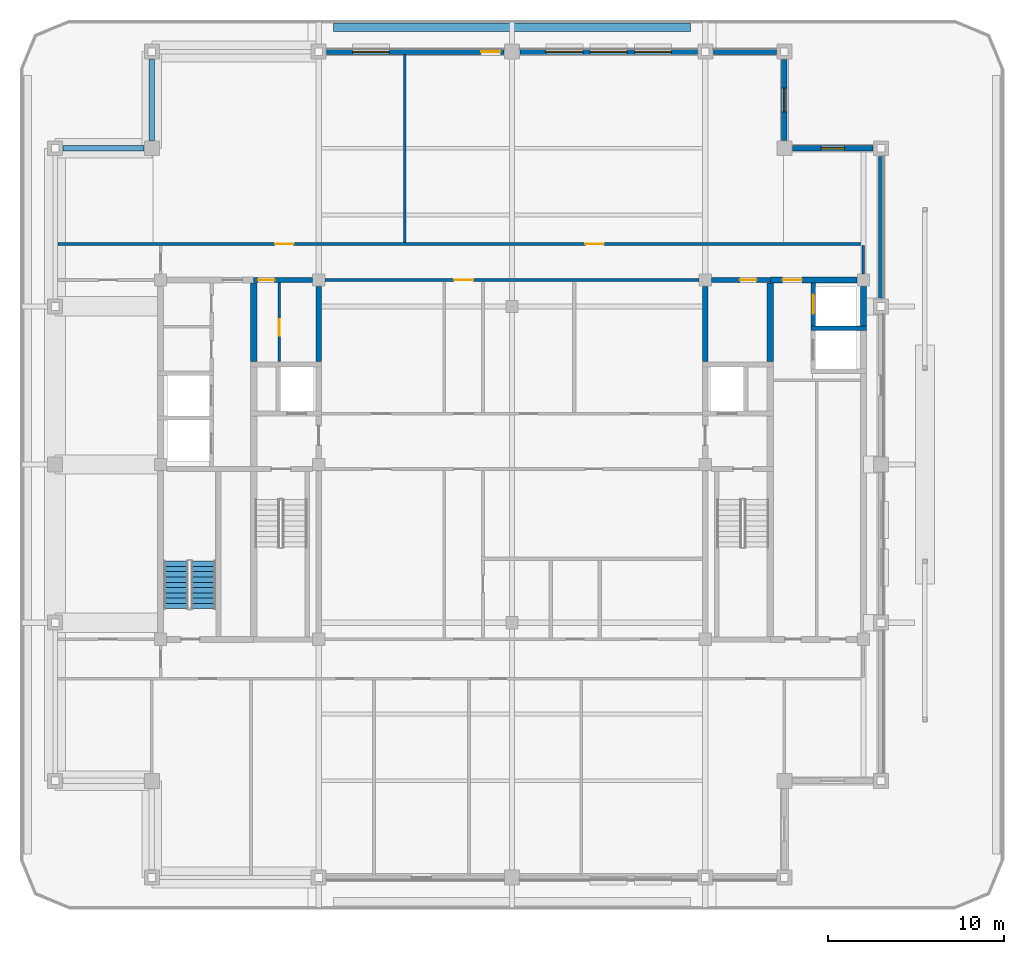
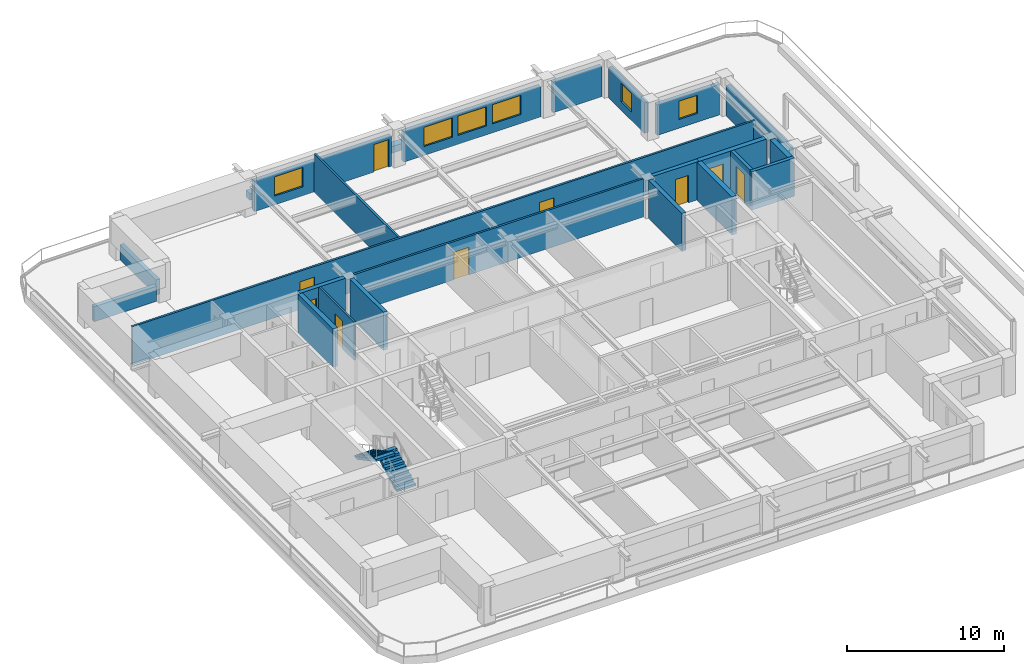
# One storey, part 8 of 14: 24 walls, 9 doors, 6 windows, 2 stair flights, 15 openings, 1 element without a shape of its own.
"""IFC4 building model written with IfcOpenShell, lengths in metres."""

from ifc_helpers import new_model, si_unit, direction, frame, frame_2d, origin, place, context, subcontext, project, spatial, polyline, rectangle, outline, extrude, material, layer, layer_set, type_object, element, fill, aggregate, save


model = new_model("IFC4")

# Units and contexts
model_context = context("Model", 3, precision=1e-05, world=origin(), true_north=direction((0.0, 1.0)))
body_context = subcontext(model_context, "Body", "Model", "MODEL_VIEW")
ifc_project = project(units=[si_unit("LENGTHUNIT", "METRE"), si_unit("AREAUNIT", "SQUARE_METRE"), si_unit("VOLUMEUNIT", "CUBIC_METRE"), si_unit("PLANEANGLEUNIT", "RADIAN"), si_unit("MASSUNIT", "GRAM", prefix="KILO")], contexts=[model_context])

# Site, building, storey
site_placement = place(None, origin())
site = spatial("IfcSite", under=ifc_project, at=site_placement, CompositionType="ELEMENT")
building_placement = place(site_placement, origin())
building = spatial("IfcBuilding", under=site, at=building_placement, Name="Zulmaris Gate Convention Tower", CompositionType="ELEMENT")
storey_placement = place(building_placement, frame((0.0, 0.0, 254.429931640625)))
storey = spatial("IfcBuildingStorey", under=building, at=storey_placement, Name="L67", CompositionType="ELEMENT", Elevation=254.429931640625)

# Wall
ifc_material_1 = material(Name="Concrete C50/60", Category="concrete")
ifc_layer_1 = layer(ifc_material_1, 0.25, Name="Concrete C50/60")
ifc_layer_set_1 = layer_set([ifc_layer_1], Name="Concrete C50/60")
wall_type_1 = type_object("IfcWallType", Name="CORE-250", PredefinedType="SOLIDWALL", material=ifc_layer_set_1)
wall_1_placement = place(storey_placement, frame((17.02490234375, 7.75, 0.0), z_axis=(0.0, 0.0, 1.0), x_axis=(1.0, 0.0, 0.0)))
element("IfcWall", 1, at=wall_1_placement, inside=storey, type_object=wall_type_1, Name="WL-L67-014", PredefinedType="SOLIDWALL", context=body_context, shape_type="SweptSolid", body=[
    extrude(rectangle(XDim=3.150146484375, YDim=0.25, at=frame_2d((1.5751953125, 0.0))), origin(), (0.0, 0.0, 1.0), 2.97998046875),
])

# Wall, opening, door
wall_2_placement = place(storey_placement, frame((17.14990234375, 7.876953125, 0.0), z_axis=(0.0, 0.0, 1.0), x_axis=(0.0, 1.0, 0.0)))
wall_2 = element("IfcWall", 2, at=wall_2_placement, inside=storey, type_object=wall_type_1, Name="WL-L67-058", PredefinedType="SOLIDWALL", context=body_context, shape_type="SweptSolid", body=[
    extrude(rectangle(XDim=2.446044921875, YDim=0.25, at=frame_2d((1.22314453125, 0.0))), origin(), (0.0, 0.0, 1.0), 2.97998046875),
])
opening_1_placement = place(wall_2_placement, frame((0.697998046875, 0.0, 0.0)))
opening_1 = element("IfcOpeningElement", 3, at=opening_1_placement, cuts=wall_2, Name="Opening D-06", PredefinedType="OPENING", context=body_context, shape_type="SweptSolid", body=[
    extrude(rectangle(XDim=1.10009765625, YDim=2.199951171875, at=frame_2d((0.550048828125, 1.10009765625))), frame((0.0, 0.135009765625, 0.0), z_axis=(0.0, -1.0, 0.0), x_axis=(1.0, 0.0, 0.0)), (0.0, 0.0, 1.0), 0.27001953125),
])
ifc_material_2 = material(Name="Brushed Stainless Steel", Category="steel")
door_type_1 = type_object("IfcDoorType", Name="LD-1100", OperationType="NOTDEFINED", PredefinedType="DOOR", material=ifc_material_2)
door_1_placement = place(opening_1_placement, origin())
door_1 = element("IfcDoor", 4, at=door_1_placement, inside=storey, type_object=door_type_1, Name="L67 Lift Landing Door HP-02 17", OperationType="SLIDING_TO_RIGHT", OverallHeight=2.199951171875, OverallWidth=1.10009765625, PredefinedType="DOOR", context=body_context, shape_type="SweptSolid", body=[
    extrude(rectangle(XDim=1.10009765625, YDim=2.199951171875, at=frame_2d((0.550048828125, 1.10009765625))), frame((0.0, 0.02490234375, 0.0), z_axis=(0.0, -1.0, 0.0), x_axis=(1.0, 0.0, 0.0)), (0.0, 0.0, 1.0), 0.050048828125),
])
fill(opening_1, door_1)

ifc_layer_2 = layer(ifc_material_1, 0.300048828125, Name="Concrete C50/60")
ifc_layer_set_2 = layer_set([ifc_layer_2], Name="Concrete C50/60")
wall_type_2 = type_object("IfcWallType", Name="CORE-300", PredefinedType="SHEAR", material=ifc_layer_set_2)
wall_3_placement = place(storey_placement, frame((-14.699951171875, 10.5, 0.0), z_axis=(0.0, 0.0, 1.0), x_axis=(1.0, 0.0, 0.0)))
wall_3 = element("IfcWall", 5, at=wall_3_placement, inside=storey, type_object=wall_type_2, Name="WL-L67-016", PredefinedType="SHEAR", context=body_context, shape_type="SweptSolid", body=[
    extrude(rectangle(XDim=3.345947265625, YDim=0.300048828125, at=frame_2d((1.6728515625, 0.0))), origin(), (0.0, 0.0, 1.0), 2.97998046875),
])
opening_2_placement = place(wall_3_placement, frame((0.2451171875, 0.0, 0.0)))
opening_2 = element("IfcOpeningElement", 6, at=opening_2_placement, cuts=wall_3, Name="Opening D-11", PredefinedType="OPENING", context=body_context, shape_type="SweptSolid", body=[
    extrude(rectangle(XDim=0.949951171875, YDim=2.14990234375, at=frame_2d((0.47509765625, 1.074951171875))), frame((0.0, 0.16015625, 0.0), z_axis=(0.0, -1.0, 0.0), x_axis=(1.0, 0.0, 0.0)), (0.0, 0.0, 1.0), 0.320068359375),
])
ifc_material_3 = material(Name="Fire-Rated Timber", Category="wood")
door_type_2 = type_object("IfcDoorType", Name="DR-950-FD", OperationType="NOTDEFINED", PredefinedType="DOOR", material=ifc_material_3)
door_2_placement = place(opening_2_placement, origin())
door_2 = element("IfcDoor", 7, at=door_2_placement, inside=storey, type_object=door_type_2, Name="L67 Core Mail Room Door 07", OperationType="SINGLE_SWING_RIGHT", OverallHeight=2.14990234375, OverallWidth=0.949951171875, PredefinedType="DOOR", context=body_context, shape_type="SweptSolid", body=[
    extrude(rectangle(XDim=0.949951171875, YDim=2.14990234375, at=frame_2d((0.47509765625, 1.074951171875))), frame((0.0, 0.02490234375, 0.0), z_axis=(0.0, -1.0, 0.0), x_axis=(1.0, 0.0, 0.0)), (0.0, 0.0, 1.0), 0.050048828125),
])
fill(opening_2, door_2)

wall_4_placement = place(storey_placement, frame((11.35400390625, 10.5, 0.0), z_axis=(0.0, 0.0, 1.0), x_axis=(1.0, 0.0, 0.0)))
wall_4 = element("IfcWall", 8, at=wall_4_placement, inside=storey, type_object=wall_type_2, Name="WL-L67-017", PredefinedType="SHEAR", context=body_context, shape_type="SweptSolid", body=[
    extrude(rectangle(XDim=3.345947265625, YDim=0.300048828125, at=frame_2d((1.6728515625, 0.0))), origin(), (0.0, 0.0, 1.0), 2.97998046875),
])
opening_3_placement = place(wall_4_placement, frame((1.62109375, 0.0, 0.0)))
opening_3 = element("IfcOpeningElement", 9, at=opening_3_placement, cuts=wall_4, Name="Opening D-11", PredefinedType="OPENING", context=body_context, shape_type="SweptSolid", body=[
    extrude(rectangle(XDim=0.949951171875, YDim=2.14990234375, at=frame_2d((0.47509765625, 1.074951171875))), frame((0.0, 0.16015625, 0.0), z_axis=(0.0, -1.0, 0.0), x_axis=(1.0, 0.0, 0.0)), (0.0, 0.0, 1.0), 0.320068359375),
])
door_3_placement = place(opening_3_placement, origin())
door_3 = element("IfcDoor", 10, at=door_3_placement, inside=storey, type_object=door_type_2, Name="L67 Core Tea Pantry Door 09", OperationType="SINGLE_SWING_RIGHT", OverallHeight=2.14990234375, OverallWidth=0.949951171875, PredefinedType="DOOR", context=body_context, shape_type="SweptSolid", body=[
    extrude(rectangle(XDim=0.949951171875, YDim=2.14990234375, at=frame_2d((0.47509765625, 1.074951171875))), frame((0.0, 0.02490234375, 0.0), z_axis=(0.0, -1.0, 0.0), x_axis=(1.0, 0.0, 0.0)), (0.0, 0.0, 1.0), 0.050048828125),
])
fill(opening_3, door_3)

# Walls
for number, where, z_axis, x_axis, name in (
    (11, (-11.0, 5.85205078125, 0.0), (0.0, 0.0, 1.0), (0.0, 1.0, 0.0), "WL-L67-046"),
    (12, (11.0, 5.85205078125, 0.0), (0.0, 0.0, 1.0), (0.0, 1.0, 0.0), "WL-L67-050"),
):
    element("IfcWall", number, at=place(storey_placement, frame(where, z_axis=z_axis, x_axis=x_axis)), inside=storey, type_object=wall_type_2, Name=name, PredefinedType="SHEAR", context=body_context, shape_type="SweptSolid", body=[
        extrude(rectangle(XDim=4.2939453125, YDim=0.300048828125, at=frame_2d((2.14697265625, 0.0))), origin(), (0.0, 0.0, 1.0), 2.97998046875),
    ])

# Wall, opening, door
ifc_material_4 = material(Name="Concrete C55/67", Category="concrete")
ifc_layer_3 = layer(ifc_material_4, 0.35009765625, Name="Concrete C55/67")
ifc_layer_set_3 = layer_set([ifc_layer_3], Name="Concrete C55/67")
wall_type_3 = type_object("IfcWallType", Name="CORE-350", PredefinedType="SHEAR", material=ifc_layer_set_3)
wall_5_placement = place(storey_placement, frame((14.699951171875, 10.5, 0.0), z_axis=(0.0, 0.0, 1.0), x_axis=(1.0, 0.0, 0.0)))
wall_5 = element("IfcWall", 13, at=wall_5_placement, inside=storey, type_object=wall_type_3, Name="WL-L67-018", PredefinedType="SHEAR", context=body_context, shape_type="SweptSolid", body=[
    extrude(rectangle(XDim=4.946044921875, YDim=0.35009765625, at=frame_2d((2.47314453125, 0.0))), origin(), (0.0, 0.0, 1.0), 2.97998046875),
])
opening_4_placement = place(wall_5_placement, frame((0.699951171875, 0.0, 0.0)))
opening_4 = element("IfcOpeningElement", 14, at=opening_4_placement, cuts=wall_5, Name="Opening D-08", PredefinedType="OPENING", context=body_context, shape_type="SweptSolid", body=[
    extrude(rectangle(XDim=1.10009765625, YDim=2.14990234375, at=frame_2d((0.550048828125, 1.074951171875))), frame((0.0, 0.18505859375, 0.0), z_axis=(0.0, -1.0, 0.0), x_axis=(1.0, 0.0, 0.0)), (0.0, 0.0, 1.0), 0.3701171875),
])
ifc_material_5 = material(Name="Fire-Rated Steel", Category="steel")
door_type_3 = type_object("IfcDoorType", Name="DR-1100-FD", OperationType="NOTDEFINED", PredefinedType="DOOR", material=ifc_material_5)
door_4_placement = place(opening_4_placement, origin())
door_4 = element("IfcDoor", 15, at=door_4_placement, inside=storey, type_object=door_type_3, Name="L67 High-Rise East Lift Lobby Door 18", OperationType="SINGLE_SWING_LEFT", OverallHeight=2.14990234375, OverallWidth=1.10009765625, PredefinedType="DOOR", context=body_context, shape_type="SweptSolid", body=[
    extrude(rectangle(XDim=1.10009765625, YDim=2.14990234375, at=frame_2d((0.550048828125, 1.074951171875))), frame((0.0, 0.02490234375, 0.0), z_axis=(0.0, -1.0, 0.0), x_axis=(1.0, 0.0, 0.0)), (0.0, 0.0, 1.0), 0.050048828125),
])
fill(opening_4, door_4)

# Walls
for number, where, z_axis, x_axis, name in (
    (16, (-14.699951171875, 5.85205078125, 0.0), (0.0, 0.0, 1.0), (0.0, 1.0, 0.0), "WL-L67-040"),
    (17, (14.699951171875, 5.85205078125, 0.0), (0.0, 0.0, 1.0), (0.0, 1.0, 0.0), "WL-L67-056"),
):
    element("IfcWall", number, at=place(storey_placement, frame(where, z_axis=z_axis, x_axis=x_axis)), inside=storey, type_object=wall_type_3, Name=name, PredefinedType="SHEAR", context=body_context, shape_type="SweptSolid", body=[
        extrude(rectangle(XDim=4.470947265625, YDim=0.35009765625, at=frame_2d((2.2353515625, 0.0))), origin(), (0.0, 0.0, 1.0), 2.97998046875),
    ])
wall_6_placement = place(storey_placement, frame((20.0, 7.876953125, 0.0), z_axis=(0.0, 0.0, 1.0), x_axis=(0.0, 1.0, 0.0)))
element("IfcWall", 18, at=wall_6_placement, inside=storey, type_object=wall_type_3, Name="WL-L67-061", PredefinedType="SHEAR", context=body_context, shape_type="SweptSolid", body=[
    extrude(rectangle(XDim=2.26904296875, YDim=0.35009765625, at=frame_2d((1.134521484375, 0.0))), origin(), (0.0, 0.0, 1.0), 2.97998046875),
])

# Wall, opening, door
ifc_material_6 = material(Name="Gypsum Metal Stud Partition")
ifc_layer_4 = layer(ifc_material_6, 0.14990234375, Name="Gypsum Metal Stud Partition")
ifc_layer_set_4 = layer_set([ifc_layer_4], Name="Gypsum Metal Stud Partition")
wall_type_4 = type_object("IfcWallType", Name="PART-150", PredefinedType="PARTITIONING", material=ifc_layer_set_4)
wall_7_placement = place(storey_placement, frame((-10.64404296875, 10.5, 0.0), z_axis=(0.0, 0.0, 1.0), x_axis=(1.0, 0.0, 0.0)))
wall_7 = element("IfcWall", 19, at=wall_7_placement, inside=storey, type_object=wall_type_4, Name="WL-L67-028", PredefinedType="PARTITIONING", context=body_context, shape_type="SweptSolid", body=[
    extrude(rectangle(XDim=21.2880859375, YDim=0.14990234375, at=frame_2d((10.64404296875, 0.0))), origin(), (0.0, 0.0, 1.0), 2.97998046875),
])
opening_5_placement = place(wall_7_placement, frame((7.343994140625, 0.0, 0.0)))
opening_5 = element("IfcOpeningElement", 20, at=opening_5_placement, cuts=wall_7, Name="Opening D-08", PredefinedType="OPENING", context=body_context, shape_type="SweptSolid", body=[
    extrude(rectangle(XDim=1.10009765625, YDim=2.14990234375, at=frame_2d((0.550048828125, 1.074951171875))), frame((0.0, 0.0849609375, 0.0), z_axis=(0.0, -1.0, 0.0), x_axis=(1.0, 0.0, 0.0)), (0.0, 0.0, 1.0), 0.169921875),
])
door_5_placement = place(opening_5_placement, origin())
door_5 = element("IfcDoor", 21, at=door_5_placement, inside=storey, type_object=door_type_3, Name="L67 Exec North Link Door 21", OperationType="SINGLE_SWING_RIGHT", OverallHeight=2.14990234375, OverallWidth=1.10009765625, PredefinedType="DOOR", context=body_context, shape_type="SweptSolid", body=[
    extrude(rectangle(XDim=1.10009765625, YDim=2.14990234375, at=frame_2d((0.550048828125, 1.074951171875))), frame((0.0, 0.02490234375, 0.0), z_axis=(0.0, -1.0, 0.0), x_axis=(1.0, 0.0, 0.0)), (0.0, 0.0, 1.0), 0.050048828125),
])
fill(opening_5, door_5)

# Wall, openings, doors
wall_8_placement = place(storey_placement, frame((-25.8349609375, 12.550048828125, 0.0), z_axis=(0.0, 0.0, 1.0), x_axis=(1.0, 0.0, 0.0)))
wall_8 = element("IfcWall", 22, at=wall_8_placement, inside=storey, type_object=wall_type_4, Name="WL-L67-029", PredefinedType="PARTITIONING", context=body_context, shape_type="SweptSolid", body=[
    extrude(rectangle(XDim=45.909912109375, YDim=0.14990234375, at=frame_2d((22.955078125, 0.0))), origin(), (0.0, 0.0, 1.0), 2.97998046875),
])
opening_6_placement = place(wall_8_placement, frame((12.360107421875, 0.0, 0.0)))
opening_6 = element("IfcOpeningElement", 23, at=opening_6_placement, cuts=wall_8, Name="Opening D-09", PredefinedType="OPENING", context=body_context, shape_type="SweptSolid", body=[
    extrude(rectangle(XDim=1.050048828125, YDim=2.14990234375, at=frame_2d((0.52490234375, 1.074951171875))), frame((0.0, 0.0849609375, 0.0), z_axis=(0.0, -1.0, 0.0), x_axis=(1.0, 0.0, 0.0)), (0.0, 0.0, 1.0), 0.169921875),
])
opening_7_placement = place(wall_8_placement, frame((30.010009765625, 0.0, 0.0)))
opening_7 = element("IfcOpeningElement", 24, at=opening_7_placement, cuts=wall_8, Name="Opening D-09", PredefinedType="OPENING", context=body_context, shape_type="SweptSolid", body=[
    extrude(rectangle(XDim=1.050048828125, YDim=2.14990234375, at=frame_2d((0.52490234375, 1.074951171875))), frame((0.0, 0.0849609375, 0.0), z_axis=(0.0, -1.0, 0.0), x_axis=(1.0, 0.0, 0.0)), (0.0, 0.0, 1.0), 0.169921875),
])
door_type_4 = type_object("IfcDoorType", Name="DR-1050-FD", OperationType="NOTDEFINED", PredefinedType="DOOR", material=ifc_material_5)
door_6_placement = place(opening_6_placement, origin())
door_6 = element("IfcDoor", 25, at=door_6_placement, inside=storey, type_object=door_type_4, Name="L67 Executive Boardroom Door 25", OperationType="SINGLE_SWING_RIGHT", OverallHeight=2.14990234375, OverallWidth=1.050048828125, PredefinedType="DOOR", context=body_context, shape_type="SweptSolid", body=[
    extrude(rectangle(XDim=1.050048828125, YDim=2.14990234375, at=frame_2d((0.52490234375, 1.074951171875))), frame((0.0, 0.02490234375, 0.0), z_axis=(0.0, -1.0, 0.0), x_axis=(1.0, 0.0, 0.0)), (0.0, 0.0, 1.0), 0.050048828125),
])
fill(opening_6, door_6)
door_7_placement = place(opening_7_placement, origin())
door_7 = element("IfcDoor", 26, at=door_7_placement, inside=storey, type_object=door_type_4, Name="L67 Corporate Strategy Office Door 26", OperationType="SINGLE_SWING_LEFT", OverallHeight=2.14990234375, OverallWidth=1.050048828125, PredefinedType="DOOR", context=body_context, shape_type="SweptSolid", body=[
    extrude(rectangle(XDim=1.050048828125, YDim=2.14990234375, at=frame_2d((0.52490234375, 1.074951171875))), frame((0.0, 0.02490234375, 0.0), z_axis=(0.0, -1.0, 0.0), x_axis=(1.0, 0.0, 0.0)), (0.0, 0.0, 1.0), 0.050048828125),
])
fill(opening_7, door_7)

# Wall, opening, door
wall_9_placement = place(storey_placement, frame((-13.25, 5.85302734375, 0.0), z_axis=(0.0, 0.0, 1.0), x_axis=(0.0, 1.0, 0.0)))
wall_9 = element("IfcWall", 27, at=wall_9_placement, inside=storey, type_object=wall_type_4, Name="WL-L67-068", PredefinedType="PARTITIONING", context=body_context, shape_type="SweptSolid", body=[
    extrude(rectangle(XDim=4.493896484375, YDim=0.14990234375, at=frame_2d((2.2470703125, 0.0))), origin(), (0.0, 0.0, 1.0), 2.97998046875),
])
opening_8_placement = place(wall_9_placement, frame((1.471923828125, 0.0, 0.0)))
opening_8 = element("IfcOpeningElement", 28, at=opening_8_placement, cuts=wall_9, Name="Opening D-11", PredefinedType="OPENING", context=body_context, shape_type="SweptSolid", body=[
    extrude(rectangle(XDim=0.949951171875, YDim=2.14990234375, at=frame_2d((0.47509765625, 1.074951171875))), frame((0.0, 0.0849609375, 0.0), z_axis=(0.0, -1.0, 0.0), x_axis=(1.0, 0.0, 0.0)), (0.0, 0.0, 1.0), 0.169921875),
])
door_8_placement = place(opening_8_placement, origin())
door_8 = element("IfcDoor", 29, at=door_8_placement, inside=storey, type_object=door_type_2, Name="L67 Core Janitor Door 08", OperationType="SINGLE_SWING_LEFT", OverallHeight=2.14990234375, OverallWidth=0.949951171875, PredefinedType="DOOR", context=body_context, shape_type="SweptSolid", body=[
    extrude(rectangle(XDim=0.949951171875, YDim=2.14990234375, at=frame_2d((0.47509765625, 1.074951171875))), frame((0.0, 0.02490234375, 0.0), z_axis=(0.0, -1.0, 0.0), x_axis=(1.0, 0.0, 0.0)), (0.0, 0.0, 1.0), 0.050048828125),
])
fill(opening_8, door_8)

# Walls
wall_10_placement = place(storey_placement, frame((-6.10009765625, 12.6279296875, 0.0), z_axis=(0.0, 0.0, 1.0), x_axis=(0.0, 1.0, 0.0)))
element("IfcWall", 30, at=wall_10_placement, inside=storey, type_object=wall_type_4, Name="WL-L67-070", PredefinedType="PARTITIONING", context=body_context, shape_type="SweptSolid", body=[
    extrude(rectangle(XDim=10.70703125, YDim=0.14990234375, at=frame_2d((5.353515625, 0.0))), origin(), (0.0, 0.0, 1.0), 2.97998046875),
])
wall_11_placement = place(storey_placement, frame((20.0, 10.85595703125, 0.0), z_axis=(0.0, 0.0, 1.0), x_axis=(0.0, 1.0, 0.0)))
element("IfcWall", 31, at=wall_11_placement, inside=storey, type_object=wall_type_4, Name="WL-L67-084", PredefinedType="PARTITIONING", context=body_context, shape_type="SweptSolid", body=[
    extrude(rectangle(XDim=1.615966796875, YDim=0.14990234375, at=frame_2d((0.80810546875, 0.0))), origin(), (0.0, 0.0, 1.0), 2.570068359375),
])
ifc_material_7 = material(Name="Botanical Green Glazed Precast Concrete C40/50", Category="concrete")
ifc_layer_5 = layer(ifc_material_7, 0.419921875, Name="Botanical Green Glazed Precast Concrete C40/50")
ifc_layer_set_5 = layer_set([ifc_layer_5], Name="Botanical Green Glazed Precast Concrete C40/50")
wall_type_5 = type_object("IfcWallType", Name="PLANTER-CURB-200", PredefinedType="PARAPET", material=ifc_layer_set_5)
wall_12_placement = place(storey_placement, frame((-10.14990234375, 24.8798828125, -0.0400390625), z_axis=(0.0, 0.0, 1.0), x_axis=(1.0, 0.0, 0.0)))
element("IfcWall", 32, at=wall_12_placement, inside=storey, type_object=wall_type_5, Name="L67 Full-Length Balcony Tree Planter Trough", PredefinedType="PARAPET", context=body_context, shape_type="SweptSolid", body=[
    extrude(rectangle(XDim=20.2998046875, YDim=0.47998046875, at=frame_2d((10.14990234375, 0.0))), origin(), (0.0, 0.0, 1.0), 0.52001953125),
])

# Wall, opening, window
ifc_material_8 = material(Name="Precast concrete C40/50", Category="concrete")
ifc_layer_6 = layer(ifc_material_8, 0.300048828125, Name="Precast concrete C40/50")
ifc_layer_set_6 = layer_set([ifc_layer_6], Name="Precast concrete C40/50")
wall_type_6 = type_object("IfcWallType", Name="PRECAST-PIER-300", PredefinedType="STANDARD", material=ifc_layer_set_6)
wall_13_placement = place(storey_placement, frame((20.544921875, 18.0, 0.0), z_axis=(0.0, 0.0, 1.0), x_axis=(-1.0, 0.0, 0.0)))
wall_13 = element("IfcWall", 33, at=wall_13_placement, inside=storey, type_object=wall_type_6, Name="EW-L67-NOTCH-NE1_0", PredefinedType="STANDARD", context=body_context, shape_type="SweptSolid", body=[
    extrude(rectangle(XDim=4.58984375, YDim=0.300048828125, at=frame_2d((2.294921875, 0.0))), origin(), (0.0, 0.0, 1.0), 2.3720703125),
])
opening_9_placement = place(wall_13_placement, frame((1.6201171875, 0.0, 0.679931640625)))
opening_9 = element("IfcOpeningElement", 34, at=opening_9_placement, cuts=wall_13, Name="Opening W-10", PredefinedType="OPENING", context=body_context, shape_type="SweptSolid", body=[
    extrude(rectangle(XDim=1.35009765625, YDim=1.419921875, at=frame_2d((0.675048828125, 0.7099609375))), frame((0.0, 0.16015625, 0.0), z_axis=(0.0, -1.0, 0.0), x_axis=(1.0, 0.0, 0.0)), (0.0, 0.0, 1.0), 0.320068359375),
])
ifc_material_9 = material(Name="Low-E Laminated Double Glazing in Aluminium Frame", Category="aluminium")
window_type_1 = type_object("IfcWindowType", Name="WIN-1350x2000", PartitioningType="SINGLE_PANEL", PredefinedType="WINDOW", material=ifc_material_9)
window_1_placement = place(opening_9_placement, origin())
window_1 = element("IfcWindow", 35, at=window_1_placement, inside=storey, type_object=window_type_1, Name="WN-EW-L67-NOTCH-NE1_0", OverallHeight=1.419921875, OverallWidth=1.35009765625, PartitioningType="SINGLE_PANEL", PredefinedType="WINDOW", context=body_context, shape_type="SweptSolid", body=[
    extrude(rectangle(XDim=1.35009765625, YDim=1.419921875, at=frame_2d((0.675048828125, 0.7099609375))), frame((0.0, 0.030029296875, 0.0), z_axis=(0.0, -1.0, 0.0), x_axis=(1.0, 0.0, 0.0)), (0.0, 0.0, 1.0), 0.06005859375),
])
fill(opening_9, window_1)

wall_14_placement = place(storey_placement, frame((15.5, 18.455078125, 0.0), z_axis=(0.0, 0.0, 1.0), x_axis=(0.0, 1.0, 0.0)))
wall_14 = element("IfcWall", 36, at=wall_14_placement, inside=storey, type_object=wall_type_6, Name="EW-L67-NOTCH-NE2_0", PredefinedType="STANDARD", context=body_context, shape_type="SweptSolid", body=[
    extrude(rectangle(XDim=4.58984375, YDim=0.300048828125, at=frame_2d((2.294921875, 0.0))), origin(), (0.0, 0.0, 1.0), 2.3720703125),
])
opening_10_placement = place(wall_14_placement, frame((1.6201171875, 0.0, 0.679931640625)))
opening_10 = element("IfcOpeningElement", 37, at=opening_10_placement, cuts=wall_14, Name="Opening W-10", PredefinedType="OPENING", context=body_context, shape_type="SweptSolid", body=[
    extrude(rectangle(XDim=1.35009765625, YDim=1.419921875, at=frame_2d((0.675048828125, 0.7099609375))), frame((0.0, 0.16015625, 0.0), z_axis=(0.0, -1.0, 0.0), x_axis=(1.0, 0.0, 0.0)), (0.0, 0.0, 1.0), 0.320068359375),
])
window_2_placement = place(opening_10_placement, origin())
window_2 = element("IfcWindow", 38, at=window_2_placement, inside=storey, type_object=window_type_1, Name="WN-EW-L67-NOTCH-NE2_0", OverallHeight=1.419921875, OverallWidth=1.35009765625, PartitioningType="SINGLE_PANEL", PredefinedType="WINDOW", context=body_context, shape_type="SweptSolid", body=[
    extrude(rectangle(XDim=1.35009765625, YDim=1.419921875, at=frame_2d((0.675048828125, 0.7099609375))), frame((0.0, 0.030029296875, 0.0), z_axis=(0.0, -1.0, 0.0), x_axis=(1.0, 0.0, 0.0)), (0.0, 0.0, 1.0), 0.06005859375),
])
fill(opening_10, window_2)

# Walls
for number, where, z_axis, x_axis, name in (
    (39, (-20.5, 23.044921875, 0.0), (0.0, 0.0, 1.0), (0.0, -1.0, 0.0), "EW-L67-NOTCH-NW1_0"),
    (40, (-20.955078125, 18.0, 0.0), (0.0, 0.0, 1.0), (-1.0, 0.0, 0.0), "EW-L67-NOTCH-NW2_0"),
):
    element("IfcWall", number, at=place(storey_placement, frame(where, z_axis=z_axis, x_axis=x_axis)), inside=storey, type_object=wall_type_6, Name=name, PredefinedType="STANDARD", context=body_context, shape_type="SweptSolid", body=[
        extrude(rectangle(XDim=4.58984375, YDim=0.300048828125, at=frame_2d((2.294921875, 0.0))), origin(), (0.0, 0.0, 1.0), 1.171875),
    ])

# Wall, openings, door, window
wall_15_placement = place(storey_placement, frame((-0.455078125, 23.5, 0.0), z_axis=(0.0, 0.0, 1.0), x_axis=(-1.0, 0.0, 0.0)))
wall_15 = element("IfcWall", 41, at=wall_15_placement, inside=storey, type_object=wall_type_6, Name="EW-L67-N-1_0", PredefinedType="STANDARD", context=body_context, shape_type="SweptSolid", body=[
    extrude(rectangle(XDim=10.08984375, YDim=0.300048828125, at=frame_2d((5.044921875, 0.0))), origin(), (0.0, 0.0, 1.0), 2.3720703125),
])
opening_11_placement = place(wall_15_placement, frame((0.199951171875, 0.0, 0.0)))
opening_11 = element("IfcOpeningElement", 42, at=opening_11_placement, cuts=wall_15, Name="Opening D-04", PredefinedType="OPENING", context=body_context, shape_type="SweptSolid", body=[
    extrude(rectangle(XDim=1.10009765625, YDim=2.14990234375, at=frame_2d((0.550048828125, 1.074951171875))), frame((0.0, 0.16015625, 0.0), z_axis=(0.0, -1.0, 0.0), x_axis=(1.0, 0.0, 0.0)), (0.0, 0.0, 1.0), 0.320068359375),
])
opening_12_placement = place(wall_15_placement, frame((6.51806640625, 0.0, 0.699951171875)))
opening_12 = element("IfcOpeningElement", 43, at=opening_12_placement, cuts=wall_15, Name="Opening W-05", PredefinedType="OPENING", context=body_context, shape_type="SweptSolid", body=[
    extrude(rectangle(XDim=2.10009765625, YDim=1.5, at=frame_2d((1.050048828125, 0.75))), frame((0.0, 0.16015625, 0.0), z_axis=(0.0, -1.0, 0.0), x_axis=(1.0, 0.0, 0.0)), (0.0, 0.0, 1.0), 0.320068359375),
])
ifc_material_10 = material(Name="Anodised Aluminium and Laminated Glass", Category="aluminium")
door_type_5 = type_object("IfcDoorType", Name="ED-1100", OperationType="SINGLE_SWING_RIGHT", PredefinedType="DOOR", material=ifc_material_10)
door_9_placement = place(opening_11_placement, origin())
door_9 = element("IfcDoor", 44, at=door_9_placement, inside=storey, type_object=door_type_5, Name="L67 N Planted Terrace Door", OperationType="SINGLE_SWING_LEFT", OverallHeight=2.14990234375, OverallWidth=1.10009765625, PredefinedType="DOOR", context=body_context, shape_type="SweptSolid", body=[
    extrude(rectangle(XDim=1.10009765625, YDim=2.14990234375, at=frame_2d((0.550048828125, 1.074951171875))), frame((0.0, 0.02490234375, 0.0), z_axis=(0.0, -1.0, 0.0), x_axis=(1.0, 0.0, 0.0)), (0.0, 0.0, 1.0), 0.050048828125),
])
fill(opening_11, door_9)
window_type_2 = type_object("IfcWindowType", Name="WIN-2100x2400", PartitioningType="SINGLE_PANEL", PredefinedType="WINDOW", material=ifc_material_9)
window_3_placement = place(opening_12_placement, origin())
window_3 = element("IfcWindow", 45, at=window_3_placement, inside=storey, type_object=window_type_2, Name="WN-EW-L67-N-1_0-3", OverallHeight=1.5, OverallWidth=2.10009765625, PartitioningType="SINGLE_PANEL", PredefinedType="WINDOW", context=body_context, shape_type="SweptSolid", body=[
    extrude(rectangle(XDim=2.10009765625, YDim=1.5, at=frame_2d((1.050048828125, 0.75))), frame((0.0, 0.030029296875, 0.0), z_axis=(0.0, -1.0, 0.0), x_axis=(1.0, 0.0, 0.0)), (0.0, 0.0, 1.0), 0.06005859375),
])
fill(opening_12, window_3)

# Wall, openings, windows
wall_16_placement = place(storey_placement, frame((10.544921875, 23.5, 0.0), z_axis=(0.0, 0.0, 1.0), x_axis=(-1.0, 0.0, 0.0)))
wall_16 = element("IfcWall", 46, at=wall_16_placement, inside=storey, type_object=wall_type_6, Name="EW-L67-N-2_0", PredefinedType="STANDARD", context=body_context, shape_type="SweptSolid", body=[
    extrude(rectangle(XDim=10.08984375, YDim=0.300048828125, at=frame_2d((5.044921875, 0.0))), origin(), (0.0, 0.0, 1.0), 2.3720703125),
])
opening_13_placement = place(wall_16_placement, frame((1.471923828125, 0.0, 0.699951171875)))
opening_13 = element("IfcOpeningElement", 47, at=opening_13_placement, cuts=wall_16, Name="Opening W-05", PredefinedType="OPENING", context=body_context, shape_type="SweptSolid", body=[
    extrude(rectangle(XDim=2.10009765625, YDim=1.5, at=frame_2d((1.050048828125, 0.75))), frame((0.0, 0.16015625, 0.0), z_axis=(0.0, -1.0, 0.0), x_axis=(1.0, 0.0, 0.0)), (0.0, 0.0, 1.0), 0.320068359375),
])
opening_14_placement = place(wall_16_placement, frame((3.9951171875, 0.0, 0.699951171875)))
opening_14 = element("IfcOpeningElement", 48, at=opening_14_placement, cuts=wall_16, Name="Opening W-05", PredefinedType="OPENING", context=body_context, shape_type="SweptSolid", body=[
    extrude(rectangle(XDim=2.10009765625, YDim=1.5, at=frame_2d((1.050048828125, 0.75))), frame((0.0, 0.16015625, 0.0), z_axis=(0.0, -1.0, 0.0), x_axis=(1.0, 0.0, 0.0)), (0.0, 0.0, 1.0), 0.320068359375),
])
opening_15_placement = place(wall_16_placement, frame((6.51806640625, 0.0, 0.699951171875)))
opening_15 = element("IfcOpeningElement", 49, at=opening_15_placement, cuts=wall_16, Name="Opening W-05", PredefinedType="OPENING", context=body_context, shape_type="SweptSolid", body=[
    extrude(rectangle(XDim=2.10009765625, YDim=1.5, at=frame_2d((1.050048828125, 0.75))), frame((0.0, 0.16015625, 0.0), z_axis=(0.0, -1.0, 0.0), x_axis=(1.0, 0.0, 0.0)), (0.0, 0.0, 1.0), 0.320068359375),
])
window_4_placement = place(opening_13_placement, origin())
window_4 = element("IfcWindow", 50, at=window_4_placement, inside=storey, type_object=window_type_2, Name="WN-EW-L67-N-2_0-1", OverallHeight=1.5, OverallWidth=2.10009765625, PartitioningType="SINGLE_PANEL", PredefinedType="WINDOW", context=body_context, shape_type="SweptSolid", body=[
    extrude(rectangle(XDim=2.10009765625, YDim=1.5, at=frame_2d((1.050048828125, 0.75))), frame((0.0, 0.030029296875, 0.0), z_axis=(0.0, -1.0, 0.0), x_axis=(1.0, 0.0, 0.0)), (0.0, 0.0, 1.0), 0.06005859375),
])
fill(opening_13, window_4)
window_5_placement = place(opening_14_placement, origin())
window_5 = element("IfcWindow", 51, at=window_5_placement, inside=storey, type_object=window_type_2, Name="WN-EW-L67-N-2_0-2", OverallHeight=1.5, OverallWidth=2.10009765625, PartitioningType="SINGLE_PANEL", PredefinedType="WINDOW", context=body_context, shape_type="SweptSolid", body=[
    extrude(rectangle(XDim=2.10009765625, YDim=1.5, at=frame_2d((1.050048828125, 0.75))), frame((0.0, 0.030029296875, 0.0), z_axis=(0.0, -1.0, 0.0), x_axis=(1.0, 0.0, 0.0)), (0.0, 0.0, 1.0), 0.06005859375),
])
fill(opening_14, window_5)
window_6_placement = place(opening_15_placement, origin())
window_6 = element("IfcWindow", 52, at=window_6_placement, inside=storey, type_object=window_type_2, Name="WN-EW-L67-N-2_0-3", OverallHeight=1.5, OverallWidth=2.10009765625, PartitioningType="SINGLE_PANEL", PredefinedType="WINDOW", context=body_context, shape_type="SweptSolid", body=[
    extrude(rectangle(XDim=2.10009765625, YDim=1.5, at=frame_2d((1.050048828125, 0.75))), frame((0.0, 0.030029296875, 0.0), z_axis=(0.0, -1.0, 0.0), x_axis=(1.0, 0.0, 0.0)), (0.0, 0.0, 1.0), 0.06005859375),
])
fill(opening_15, window_6)

# Walls
wall_17_placement = place(storey_placement, frame((15.044921875, 23.5, 0.0), z_axis=(0.0, 0.0, 1.0), x_axis=(-1.0, 0.0, 0.0)))
element("IfcWall", 53, at=wall_17_placement, inside=storey, type_object=wall_type_6, Name="EW-L67-N-3_0", PredefinedType="STANDARD", context=body_context, shape_type="SweptSolid", body=[
    extrude(rectangle(XDim=3.58984375, YDim=0.300048828125, at=frame_2d((1.794921875, 0.0))), origin(), (0.0, 0.0, 1.0), 2.3720703125),
])
wall_18_placement = place(storey_placement, frame((21.0, 9.455078125, 0.0), z_axis=(0.0, 0.0, 1.0), x_axis=(0.0, 1.0, 0.0)))
element("IfcWall", 54, at=wall_18_placement, inside=storey, type_object=wall_type_6, Name="EW-L67-E-3_0", PredefinedType="STANDARD", context=body_context, shape_type="SweptSolid", body=[
    extrude(rectangle(XDim=8.08984375, YDim=0.300048828125, at=frame_2d((4.044921875, 0.0))), origin(), (0.0, 0.0, 1.0), 2.3720703125),
])

# Stair, stair flights
ifc_material_11 = material(Name="Concrete C45/55", Category="concrete")
stair_type = type_object("IfcStairType", Name="ST-CORE-DOGLEG", PredefinedType="HALF_TURN_STAIR", material=ifc_material_11)
stair_placement = place(storey_placement, origin())
stair = element("IfcStair", 55, at=stair_placement, inside=storey, type_object=stair_type, Name="L67 Core Exit Stair ST-3", PredefinedType="HALF_TURN_STAIR")
ifc_layer_7 = layer(ifc_material_11, 0.14990234375, Name="Concrete C45/55")
ifc_layer_set_7 = layer_set([ifc_layer_7], Name="Concrete C45/55")
stair_flight_type = type_object("IfcStairFlightType", Name="STF-RC150", PredefinedType="STRAIGHT", material=ifc_layer_set_7)
stair_flight_1_placement = place(storey_placement, frame((-17.56005859375, -8.199951171875, 0.0), z_axis=(0.0, 0.0, 1.0), x_axis=(0.0, 1.0, 0.0)))
stair_flight_1 = element("IfcStairFlight", 56, at=stair_flight_1_placement, type_object=stair_flight_type, Name="ST-3 flight 1", NumberOfRisers=10, NumberOfTreads=9, PredefinedType="STRAIGHT", RiserHeight=0.1615, TreadLength=0.3, context=body_context, shape_type="SweptSolid", body=[
    extrude(outline(polyline([(0.0, 0.0), (0.0, 0.16162109375), (0.300048828125, 0.16162109375), (0.300048828125, 0.322998046875), (0.60009765625, 0.322998046875), (0.60009765625, 0.484619140625), (0.89990234375, 0.484619140625), (0.89990234375, 0.64599609375), (1.199951171875, 0.64599609375), (1.199951171875, 0.8076171875), (1.5, 0.8076171875), (1.5, 0.968994140625), (1.800048828125, 0.968994140625), (1.800048828125, 1.130615234375), (2.10009765625, 1.130615234375), (2.10009765625, 1.2919921875), (2.39990234375, 1.2919921875), (2.39990234375, 1.45361328125), (2.699951171875, 1.45361328125), (2.699951171875, 1.614990234375), (2.699951171875, 1.283203125), (0.316162109375, 0.0), (0.0, 0.0)])), frame((0.0, 0.699951171875, 0.0), z_axis=(0.0, -1.0, 0.0), x_axis=(1.0, 0.0, 0.0)), (0.0, 0.0, 1.0), 1.39990234375),
])
stair_flight_2_placement = place(storey_placement, frame((-19.1201171875, -5.5, 1.614990234375), z_axis=(0.0, 0.0, 1.0), x_axis=(0.0, -1.0, 0.0)))
stair_flight_2 = element("IfcStairFlight", 57, at=stair_flight_2_placement, type_object=stair_flight_type, Name="ST-3 flight 2", NumberOfRisers=10, NumberOfTreads=9, PredefinedType="STRAIGHT", RiserHeight=0.1615, TreadLength=0.3, context=body_context, shape_type="SweptSolid", body=[
    extrude(outline(polyline([(0.0, 0.0), (0.0, 0.16162109375), (0.300048828125, 0.16162109375), (0.300048828125, 0.322998046875), (0.60009765625, 0.322998046875), (0.60009765625, 0.484619140625), (0.89990234375, 0.484619140625), (0.89990234375, 0.64599609375), (1.199951171875, 0.64599609375), (1.199951171875, 0.8076171875), (1.5, 0.8076171875), (1.5, 0.968994140625), (1.800048828125, 0.968994140625), (1.800048828125, 1.130615234375), (2.10009765625, 1.130615234375), (2.10009765625, 1.2919921875), (2.39990234375, 1.2919921875), (2.39990234375, 1.45361328125), (2.699951171875, 1.45361328125), (2.699951171875, 1.614990234375), (2.699951171875, 1.283203125), (0.316162109375, 0.0), (0.0, 0.0)])), frame((0.0, 0.699951171875, 0.0), z_axis=(0.0, -1.0, 0.0), x_axis=(1.0, 0.0, 0.0)), (0.0, 0.0, 1.0), 1.39990234375),
])
aggregate(stair, [stair_flight_1, stair_flight_2])

save(model, "model.ifc")
